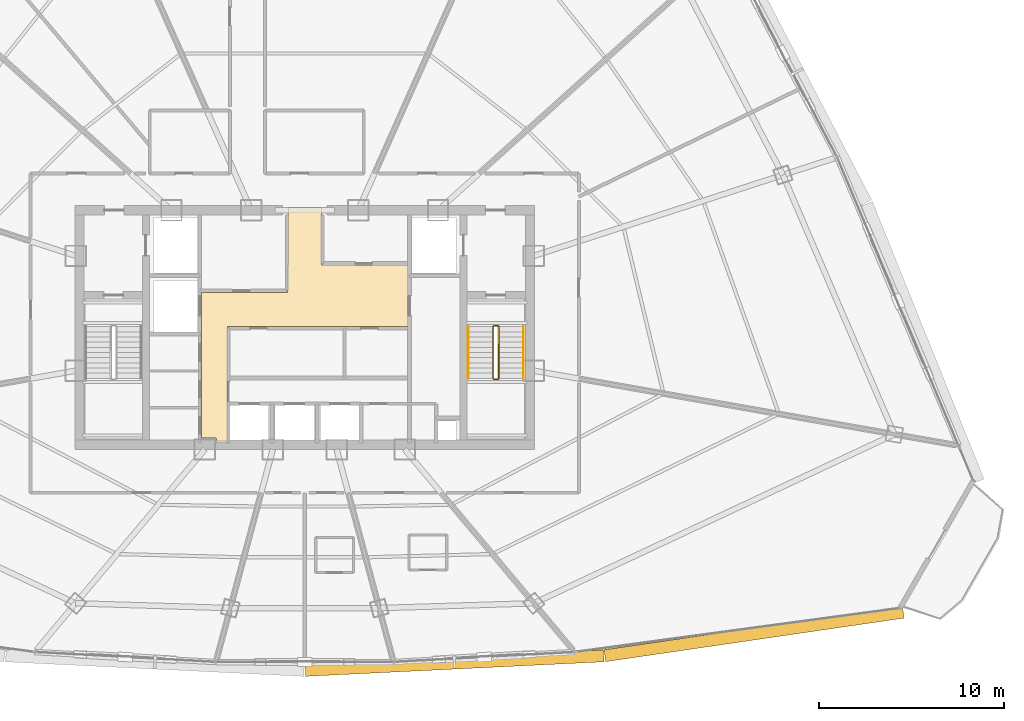
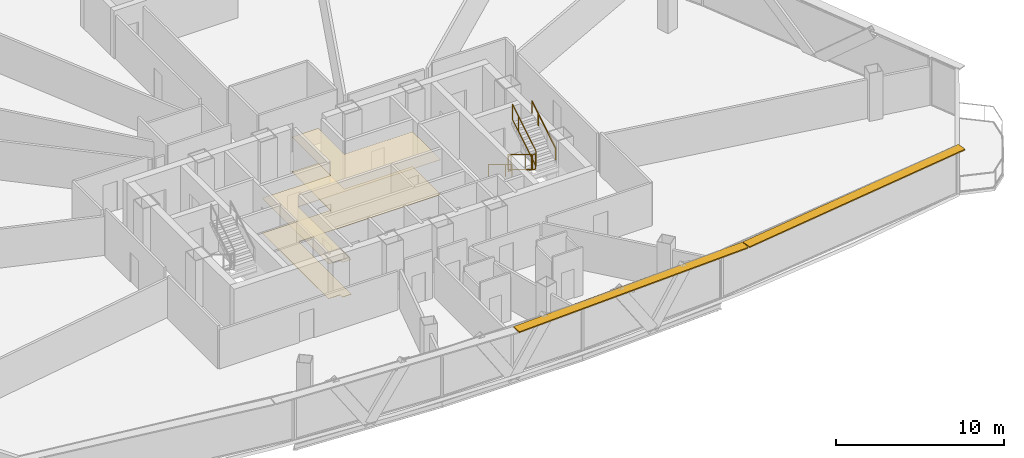
# One storey, part 32 of 34: 6 railings, 2 coverings, 2 shading devices.
"""IFC4 building model written with IfcOpenShell, lengths in metres."""

from ifc_helpers import new_model, si_unit, direction, frame, origin, origin_2d, place, context, subcontext, project, spatial, polyline, rectangle, outline, extrude, source, transform, mapped, material, layer, layer_set, type_object, element, save


model = new_model("IFC4")

# Units and contexts
model_context = context("Model", 3, precision=1e-05, world=origin(), true_north=direction((0.0, 1.0)))
body_context = subcontext(model_context, "Body", "Model", "MODEL_VIEW")
ifc_project = project(units=[si_unit("LENGTHUNIT", "METRE"), si_unit("AREAUNIT", "SQUARE_METRE"), si_unit("VOLUMEUNIT", "CUBIC_METRE"), si_unit("PLANEANGLEUNIT", "RADIAN"), si_unit("MASSUNIT", "GRAM", prefix="KILO"), si_unit("THERMODYNAMICTEMPERATUREUNIT", "KELVIN"), si_unit("POWERUNIT", "WATT")], contexts=[model_context])

# Site, building, storey
site_placement = place(None, origin())
site = spatial("IfcSite", under=ifc_project, at=site_placement, CompositionType="ELEMENT")
building_placement = place(site_placement, origin())
building = spatial("IfcBuilding", under=site, at=building_placement, Name="Yunzhuo Pagoda Commons", CompositionType="ELEMENT")
storey_placement = place(building_placement, frame((0.0, 0.0, 233.340087890625)))
storey = spatial("IfcBuildingStorey", under=building, at=storey_placement, Name="L58", CompositionType="ELEMENT", Elevation=233.340087890625)

# Coverings
ifc_material_1 = material(Name="Perforated gypsum acoustic ceiling tile")
ifc_layer_1 = layer(ifc_material_1, 0.030029296875)
ifc_layer_set_1 = layer_set([ifc_layer_1], Name="Perforated gypsum acoustic ceiling tile")
covering_type_1 = type_object("IfcCoveringType", Name="COV-CL2 Ceiling 30", PredefinedType="CEILING", material=ifc_layer_set_1)
covering_1_placement = place(storey_placement, frame((0.0, 0.0, 2.52001953125)))
element("IfcCovering", 1, at=covering_1_placement, inside=storey, type_object=covering_type_1, Name="L58 lift lobby acoustic ceiling", PredefinedType="CEILING", context=body_context, shape_type="SweptSolid", body=[
    extrude(outline(polyline([(42.39990234375, 35.75), (47.080078125, 35.75), (47.080078125, 37.25), (47.10009765625, 37.25), (47.10009765625, 40.35009765625), (48.89990234375, 40.35009765625), (48.89990234375, 37.25), (53.580078125, 37.25), (53.580078125, 33.89990234375), (43.820068359375, 33.89990234375), (43.820068359375, 27.60009765625), (43.207763671875, 27.60009765625), (43.207763671875, 27.85009765625), (43.201904296875, 27.864013671875), (43.187744140625, 27.8701171875), (42.39990234375, 27.8701171875), (42.39990234375, 33.89990234375), (42.39990234375, 35.75)])), origin(), (0.0, 0.0, 1.0), 0.02978515625),
])
ifc_material_2 = material(Name="Resilient acoustic studio flooring")
ifc_layer_2 = layer(ifc_material_2, 0.01806640625)
ifc_layer_set_2 = layer_set([ifc_layer_2], Name="Resilient acoustic studio flooring")
covering_type_2 = type_object("IfcCoveringType", Name="COV-FL3 Flooring 18", PredefinedType="FLOORING", material=ifc_layer_set_2)
covering_2_placement = place(storey_placement, origin())
element("IfcCovering", 2, at=covering_2_placement, inside=storey, type_object=covering_type_2, Name="L58 lift lobby flooring", PredefinedType="FLOORING", context=body_context, shape_type="SweptSolid", body=[
    extrude(outline(polyline([(42.39990234375, 35.75), (47.080078125, 35.75), (47.080078125, 37.25), (47.10009765625, 37.25), (47.10009765625, 40.35009765625), (48.89990234375, 40.35009765625), (48.89990234375, 37.25), (53.580078125, 37.25), (53.580078125, 33.89990234375), (43.820068359375, 33.89990234375), (43.820068359375, 27.60009765625), (43.207763671875, 27.60009765625), (43.207763671875, 27.85009765625), (43.201904296875, 27.864013671875), (43.187744140625, 27.8701171875), (42.39990234375, 27.8701171875), (42.39990234375, 33.89990234375), (42.39990234375, 35.75)])), origin(), (0.0, 0.0, 1.0), 0.017822265625),
])

# Railings
ifc_material_3 = material(Name="Anodized aluminium 6063-T6", Category="aluminium")
railing_type_1 = type_object("IfcRailingType", Name="GR-ST2 Stair Well Guardrail 1160", PredefinedType="GUARDRAIL", material=ifc_material_3)
railing_1_placement = place(storey_placement, frame((58.199951171875, 33.89990234375, 0.16943359375)))
element("IfcRailing", 3, at=railing_1_placement, inside=storey, type_object=railing_type_1, Name="L58 ST2 stair guard 1", PredefinedType="GUARDRAIL", context=body_context, shape_type="SweptSolid", body=[
    extrude(rectangle(XDim=0.048095703125, YDim=0.048095703125, at=origin_2d()), frame((0.0, 0.0, 1.1259765625), z_axis=(0.0, -0.855373106579, 0.518012401918), x_axis=(1.0, 0.0, 0.0)), (0.0, 0.0, 1.0), 3.273193359375),
    extrude(rectangle(XDim=0.048095703125, YDim=0.048095703125, at=origin_2d()), frame((0.0, 0.0, 0.02392578125), z_axis=(0.0, -0.855373106579, 0.518012401918), x_axis=(1.0, 0.0, 0.0)), (0.0, 0.0, 1.0), 3.273193359375),
    extrude(rectangle(XDim=0.0419921875, YDim=0.0419921875, at=origin_2d()), origin(), (0.0, 0.0, 1.0), 1.101806640625),
    extrude(rectangle(XDim=0.0419921875, YDim=0.0419921875, at=origin_2d()), frame((0.0, -2.052978515625, 1.2431640625)), (0.0, 0.0, 1.0), 1.101806640625),
    extrude(rectangle(XDim=0.0419921875, YDim=0.0419921875, at=origin_2d()), frame((0.0, -2.7998046875, 1.695556640625)), (0.0, 0.0, 1.0), 1.101806640625),
])
railing_2_placement = place(storey_placement, frame((58.25, 31.050048828125, 1.864990234375)))
element("IfcRailing", 4, at=railing_2_placement, inside=storey, type_object=railing_type_1, Name="L58 ST2 stair guard 2", PredefinedType="GUARDRAIL", context=body_context, shape_type="SweptSolid", body=[
    extrude(rectangle(XDim=0.048095703125, YDim=0.048095703125, at=origin_2d()), frame((0.0, 0.0, 1.1259765625), z_axis=(1.0, 0.0, 0.0), x_axis=(0.0, 1.0, 0.0)), (0.0, 0.0, 1.0), 0.199951171875),
    extrude(rectangle(XDim=0.048095703125, YDim=0.048095703125, at=origin_2d()), frame((0.0, 0.0, 0.02392578125), z_axis=(1.0, 0.0, 0.0), x_axis=(0.0, 1.0, 0.0)), (0.0, 0.0, 1.0), 0.199951171875),
    extrude(rectangle(XDim=0.0419921875, YDim=0.0419921875, at=origin_2d()), origin(), (0.0, 0.0, 1.0), 1.101806640625),
    extrude(rectangle(XDim=0.0419921875, YDim=0.0419921875, at=origin_2d()), frame((0.199951171875, 0.0, 0.0)), (0.0, 0.0, 1.0), 1.101806640625),
])
railing_3_placement = place(storey_placement, frame((58.5, 31.10009765625, 2.034423828125)))
element("IfcRailing", 5, at=railing_3_placement, inside=storey, type_object=railing_type_1, Name="L58 ST2 stair guard 3", PredefinedType="GUARDRAIL", context=body_context, shape_type="SweptSolid", body=[
    extrude(rectangle(XDim=0.048095703125, YDim=0.048095703125, at=origin_2d()), frame((0.0, 0.0, 1.1259765625), z_axis=(0.0, 0.855373106579, 0.518012401918), x_axis=(-1.0, 0.0, 0.0)), (0.0, 0.0, 1.0), 3.273193359375),
    extrude(rectangle(XDim=0.048095703125, YDim=0.048095703125, at=origin_2d()), frame((0.0, 0.0, 0.02392578125), z_axis=(0.0, 0.855373106579, 0.518012401918), x_axis=(-1.0, 0.0, 0.0)), (0.0, 0.0, 1.0), 3.273193359375),
    extrude(rectangle(XDim=0.0419921875, YDim=0.0419921875, at=origin_2d()), origin(), (0.0, 0.0, 1.0), 1.101806640625),
    extrude(rectangle(XDim=0.0419921875, YDim=0.0419921875, at=origin_2d()), frame((0.0, 2.052978515625, 1.2431640625)), (0.0, 0.0, 1.0), 1.101806640625),
    extrude(rectangle(XDim=0.0419921875, YDim=0.0419921875, at=origin_2d()), frame((0.0, 2.7998046875, 1.695556640625)), (0.0, 0.0, 1.0), 1.101806640625),
])
railing_4_placement = place(storey_placement, frame((58.25, 33.949951171875, 0.0)))
element("IfcRailing", 6, at=railing_4_placement, inside=storey, type_object=railing_type_1, Name="L58 ST2 stair guard 4", PredefinedType="GUARDRAIL", context=body_context, shape_type="SweptSolid", body=[
    extrude(rectangle(XDim=0.048095703125, YDim=0.048095703125, at=origin_2d()), frame((0.0, 0.0, 1.1259765625), z_axis=(1.0, 0.0, 0.0), x_axis=(0.0, 1.0, 0.0)), (0.0, 0.0, 1.0), 0.199951171875),
    extrude(rectangle(XDim=0.048095703125, YDim=0.048095703125, at=origin_2d()), frame((0.0, 0.0, 0.02392578125), z_axis=(1.0, 0.0, 0.0), x_axis=(0.0, 1.0, 0.0)), (0.0, 0.0, 1.0), 0.199951171875),
    extrude(rectangle(XDim=0.0419921875, YDim=0.0419921875, at=origin_2d()), origin(), (0.0, 0.0, 1.0), 1.101806640625),
    extrude(rectangle(XDim=0.0419921875, YDim=0.0419921875, at=origin_2d()), frame((0.199951171875, 0.0, 0.0)), (0.0, 0.0, 1.0), 1.101806640625),
])
railing_type_2 = type_object("IfcRailingType", Name="HR-ST2 Stair Handrail 900", PredefinedType="HANDRAIL", material=ifc_material_3)
railing_5_placement = place(storey_placement, frame((56.85009765625, 33.89990234375, 0.16943359375)))
element("IfcRailing", 7, at=railing_5_placement, inside=storey, type_object=railing_type_2, Name="L58 ST2 stair handrail 1", PredefinedType="HANDRAIL", context=body_context, shape_type="SweptSolid", body=[
    extrude(rectangle(XDim=0.048095703125, YDim=0.048095703125, at=origin_2d()), frame((0.0, 0.0, 0.8759765625), z_axis=(0.0, -0.855373106579, 0.518012401918), x_axis=(1.0, 0.0, 0.0)), (0.0, 0.0, 1.0), 3.273193359375),
    extrude(rectangle(XDim=0.0419921875, YDim=0.0419921875, at=origin_2d()), origin(), (0.0, 0.0, 1.0), 0.851806640625),
    extrude(rectangle(XDim=0.0419921875, YDim=0.0419921875, at=origin_2d()), frame((0.0, -2.052978515625, 1.2431640625)), (0.0, 0.0, 1.0), 0.851806640625),
    extrude(rectangle(XDim=0.0419921875, YDim=0.0419921875, at=origin_2d()), frame((0.0, -2.7998046875, 1.695556640625)), (0.0, 0.0, 1.0), 0.851806640625),
])
railing_6_placement = place(storey_placement, frame((59.85009765625, 31.10009765625, 2.034423828125)))
element("IfcRailing", 8, at=railing_6_placement, inside=storey, type_object=railing_type_2, Name="L58 ST2 stair handrail 2", PredefinedType="HANDRAIL", context=body_context, shape_type="SweptSolid", body=[
    extrude(rectangle(XDim=0.048095703125, YDim=0.048095703125, at=origin_2d()), frame((0.0, 0.0, 0.8759765625), z_axis=(0.0, 0.855373106579, 0.518012401918), x_axis=(-1.0, 0.0, 0.0)), (0.0, 0.0, 1.0), 3.273193359375),
    extrude(rectangle(XDim=0.0419921875, YDim=0.0419921875, at=origin_2d()), origin(), (0.0, 0.0, 1.0), 0.851806640625),
    extrude(rectangle(XDim=0.0419921875, YDim=0.0419921875, at=origin_2d()), frame((0.0, 2.052978515625, 1.2431640625)), (0.0, 0.0, 1.0), 0.851806640625),
    extrude(rectangle(XDim=0.0419921875, YDim=0.0419921875, at=origin_2d()), frame((0.0, 2.7998046875, 1.695556640625)), (0.0, 0.0, 1.0), 0.851806640625),
])

# Shading devices
ifc_layer_3 = layer(ifc_material_3, 0.080078125)
ifc_layer_set_3 = layer_set([ifc_layer_3], Name="Anodized aluminium 6063-T6")
shading_device_type = type_object("IfcShadingDeviceType", Name="SH-SUN1 Pagoda Horizontal Sunshade Eave 650", PredefinedType="USERDEFINED", material=ifc_layer_set_3)
shared_shape_1 = source(origin(), body_context, "Body", "SweptSolid", [
    extrude(rectangle(XDim=16.335693359375, YDim=0.64990234375, at=origin_2d()), origin(), (0.0, 0.0, 1.0), 0.080078125),
])
shading_device_1_placement = place(storey_placement, frame((72.34033203125, 17.252685546875, 3.389892578125), z_axis=(0.0, 0.0, 1.0), x_axis=(0.989510666697, 0.144459823108, 0.0)))
element("IfcShadingDevice", 9, at=shading_device_1_placement, inside=storey, type_object=shading_device_type, Name="L58 horizontal pagoda sunshade eave F1.4", ObjectType="SUNSHADE", PredefinedType="USERDEFINED", context=body_context, shape_type="MappedRepresentation", body=[
    mapped(shared_shape_1, transform((0.0, 0.0, 0.0), scale=1.0)),
])
shared_shape_2 = source(origin(), body_context, "Body", "SweptSolid", [
    extrude(rectangle(XDim=16.182861328125, YDim=0.64990234375, at=origin_2d()), origin(), (0.0, 0.0, 1.0), 0.080078125),
])
shading_device_2_placement = place(storey_placement, frame((56.113525390625, 15.673583984375, 3.389892578125), z_axis=(0.0, 0.0, 1.0), x_axis=(0.998818043775, 0.04860571396, 0.0)))
element("IfcShadingDevice", 10, at=shading_device_2_placement, inside=storey, type_object=shading_device_type, Name="L58 horizontal pagoda sunshade eave F1.3", ObjectType="SUNSHADE", PredefinedType="USERDEFINED", context=body_context, shape_type="MappedRepresentation", body=[
    mapped(shared_shape_2, transform((0.0, 0.0, 0.0), scale=1.0)),
])

save(model, "model.ifc")
